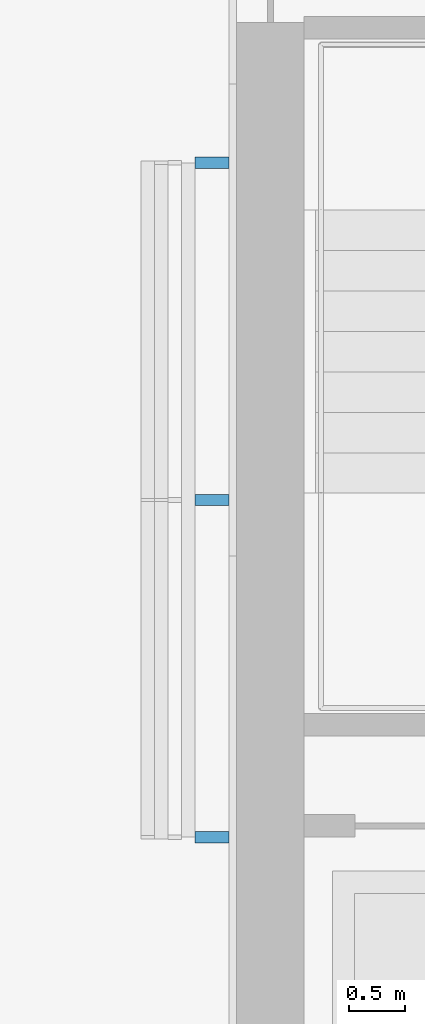
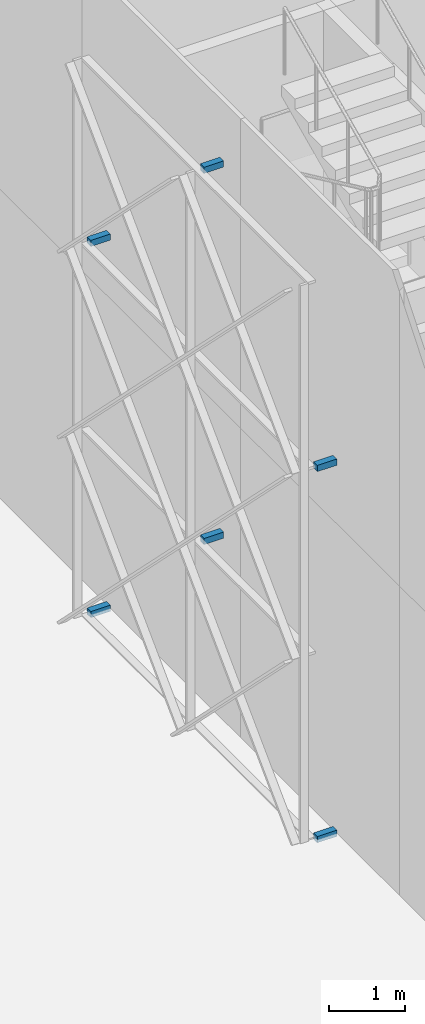
# One storey, part 45 of 64: 6 discrete accessories.
"""IFC4 building model written with IfcOpenShell, lengths in metres."""

from ifc_helpers import new_model, si_unit, direction, frame, origin, origin_2d, place, context, subcontext, project, spatial, rectangle, extrude, element, save


model = new_model("IFC4")

# Units and contexts
model_context = context("Model", 3, precision=1e-05, world=origin(), true_north=direction((0.0, 1.0)))
body_context = subcontext(model_context, "Body", "Model", "MODEL_VIEW")
ifc_project = project(units=[si_unit("LENGTHUNIT", "METRE"), si_unit("AREAUNIT", "SQUARE_METRE"), si_unit("VOLUMEUNIT", "CUBIC_METRE"), si_unit("PLANEANGLEUNIT", "RADIAN"), si_unit("MASSUNIT", "GRAM", prefix="KILO")], contexts=[model_context])

# Site, building, storey
site_placement = place(None, origin())
site = spatial("IfcSite", under=ifc_project, at=site_placement, CompositionType="ELEMENT")
building_placement = place(site_placement, origin())
building = spatial("IfcBuilding", under=site, at=building_placement, Name="Tessera Arch", CompositionType="ELEMENT")
storey_placement = place(building_placement, origin())
storey = spatial("IfcBuildingStorey", under=building, at=storey_placement, Name="L00", CompositionType="ELEMENT", Elevation=0.0)

# Discrete accessories
for number, where, z_axis, x_axis, name in (
    (1, (35.780029296875, 38.0, -0.050048828125), (0.0, 0.0, 1.0), (-1.0, 0.0, 0.0), "Lattice bracket"),
    (2, (35.780029296875, 38.0, 5.949951171875), (0.0, 0.0, 1.0), (-1.0, 0.0, 0.0), "Lattice bracket"),
    (3, (35.780029296875, 41.0, 2.949951171875), (0.0, 0.0, 1.0), (-1.0, 0.0, 0.0), "Lattice bracket"),
    (4, (35.780029296875, 41.0, 8.949951171875), (0.0, 0.0, 1.0), (-1.0, 0.0, 0.0), "Lattice bracket"),
    (5, (35.780029296875, 44.0, -0.050048828125), (0.0, 0.0, 1.0), (-1.0, 0.0, 0.0), "Lattice bracket"),
    (6, (35.780029296875, 44.0, 5.949951171875), (0.0, 0.0, 1.0), (-1.0, 0.0, 0.0), "Lattice bracket"),
):
    element("IfcDiscreteAccessory", number, at=place(storey_placement, frame(where, z_axis=z_axis, x_axis=x_axis)), inside=storey, Name=name, PredefinedType="BRACKET", context=body_context, shape_type="SweptSolid", body=[
        extrude(rectangle(XDim=0.300048828125, YDim=0.10009765625, at=origin_2d()), origin(), (0.0, 0.0, 1.0), 0.10009765625),
    ])

save(model, "model.ifc")
